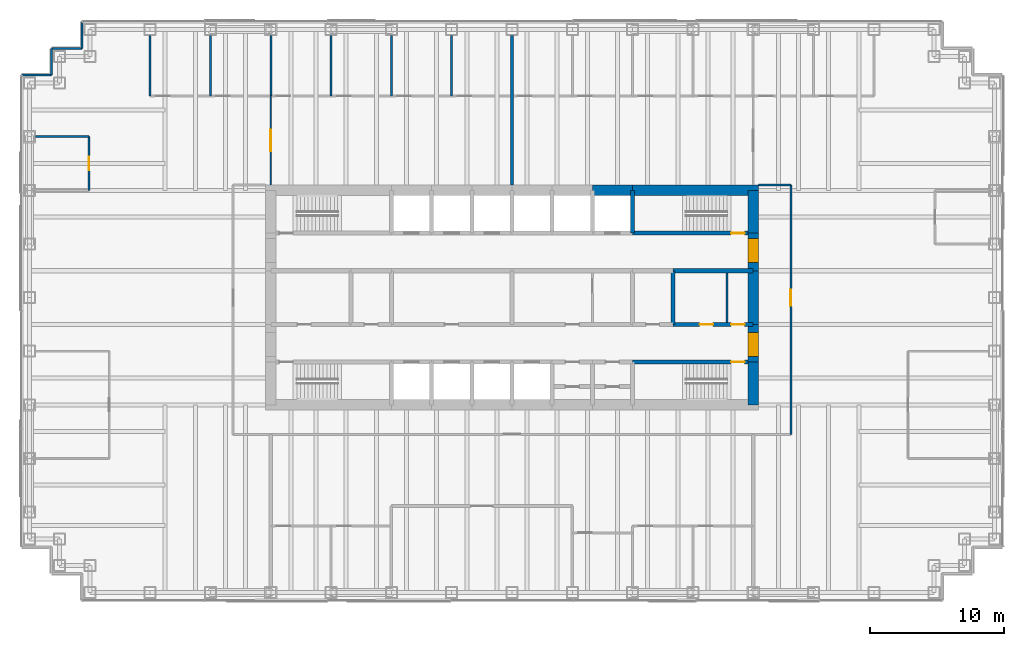
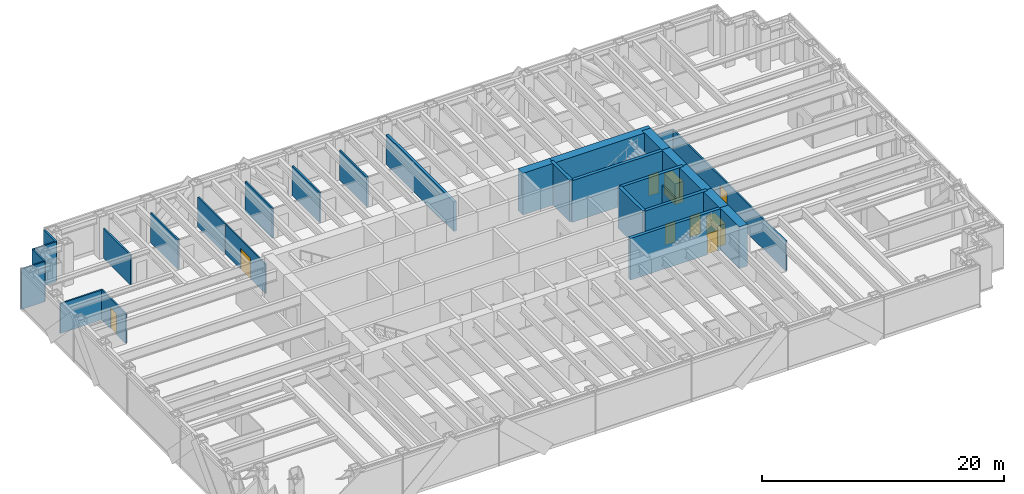
# One storey, part 14 of 17: 30 walls, 9 doors, 9 openings.
"""IFC4 building model written with IfcOpenShell, lengths in metres."""

from ifc_helpers import new_model, si_unit, direction, frame, frame_2d, origin, place, context, subcontext, project, spatial, rectangle, extrude, material, layer, layer_set, type_object, element, fill, save


model = new_model("IFC4")

# Units and contexts
model_context = context("Model", 3, precision=1e-05, world=origin(), true_north=direction((0.0, 1.0)))
body_context = subcontext(model_context, "Body", "Model", "MODEL_VIEW")
ifc_project = project(units=[si_unit("LENGTHUNIT", "METRE"), si_unit("AREAUNIT", "SQUARE_METRE"), si_unit("VOLUMEUNIT", "CUBIC_METRE"), si_unit("PLANEANGLEUNIT", "RADIAN"), si_unit("MASSUNIT", "GRAM", prefix="KILO")], contexts=[model_context])

# Site, building, storey
site_placement = place(None, origin())
site = spatial("IfcSite", under=ifc_project, at=site_placement, CompositionType="ELEMENT")
building_placement = place(site_placement, origin())
building = spatial("IfcBuilding", under=site, at=building_placement, Name="Rheinbord Bourse Tower", CompositionType="ELEMENT")
storey_placement = place(building_placement, frame((0.0, 0.0, 223.60009765625)))
storey = spatial("IfcBuildingStorey", under=building, at=storey_placement, Name="L50", CompositionType="ELEMENT", Elevation=223.60009765625)

# Wall, opening, door
ifc_material_1 = material(Name="Concrete C50/60", Category="concrete")
ifc_layer_1 = layer(ifc_material_1, 0.300048828125)
ifc_layer_set_1 = layer_set([ifc_layer_1], Name="CORE INNER WALL 300")
wall_type_1 = type_object("IfcWallType", Name="CORE INNER WALL 300", PredefinedType="SOLIDWALL", material=ifc_layer_set_1)
wall_1_placement = place(storey_placement, frame((45.0, 19.199951171875, 0.0), z_axis=(0.0, 0.0, 1.0), x_axis=(1.0, 0.0, 0.0)))
wall_1 = element("IfcWall", 1, at=wall_1_placement, inside=storey, type_object=wall_type_1, Name="Core wall A8 L50", PredefinedType="SOLIDWALL", context=body_context, shape_type="SweptSolid", body=[
    extrude(rectangle(XDim=9.0, YDim=0.300048828125, at=frame_2d((4.5, 0.0))), origin(), (0.0, 0.0, 1.0), 4.199951171875),
])
opening_1_placement = place(wall_1_placement, frame((7.35009765625, 0.0, 0.0)))
opening_1 = element("IfcOpeningElement", 2, at=opening_1_placement, cuts=wall_1, Name="Opening 5030", PredefinedType="OPENING", context=body_context, shape_type="SweptSolid", body=[
    extrude(rectangle(XDim=1.0, YDim=2.10009765625, at=frame_2d((0.5, 1.050048828125))), frame((0.0, 0.159912109375, 0.0), z_axis=(0.0, -1.0, 0.0), x_axis=(1.0, 0.0, 0.0)), (0.0, 0.0, 1.0), 0.320068359375),
])
ifc_material_2 = material(Name="Steel door", Category="steel")
door_type_1 = type_object("IfcDoorType", Name="DOOR 1000 EI30", OperationType="SINGLE_SWING_LEFT", PredefinedType="DOOR", material=ifc_material_2)
door_1_placement = place(opening_1_placement, origin())
door_1 = element("IfcDoor", 3, at=door_1_placement, inside=storey, type_object=door_type_1, Name="Stair door ST3 L50", OperationType="SINGLE_SWING_RIGHT", OverallHeight=2.10009765625, OverallWidth=1.0, PredefinedType="DOOR", context=body_context, shape_type="SweptSolid", body=[
    extrude(rectangle(XDim=1.0, YDim=2.10009765625, at=frame_2d((0.5, 1.050048828125))), frame((0.0, 0.02490234375, 0.0), z_axis=(0.0, -1.0, 0.0), x_axis=(1.0, 0.0, 0.0)), (0.0, 0.0, 1.0), 0.050048828125),
])
fill(opening_1, door_1)

wall_2_placement = place(storey_placement, frame((45.0, 28.800048828125, 0.0), z_axis=(0.0, 0.0, 1.0), x_axis=(1.0, 0.0, 0.0)))
wall_2 = element("IfcWall", 4, at=wall_2_placement, inside=storey, type_object=wall_type_1, Name="Core wall B8 L50", PredefinedType="SOLIDWALL", context=body_context, shape_type="SweptSolid", body=[
    extrude(rectangle(XDim=9.0, YDim=0.300048828125, at=frame_2d((4.5, 0.0))), origin(), (0.0, 0.0, 1.0), 4.199951171875),
])
opening_2_placement = place(wall_2_placement, frame((7.35009765625, 0.0, 0.0)))
opening_2 = element("IfcOpeningElement", 5, at=opening_2_placement, cuts=wall_2, Name="Opening 5040", PredefinedType="OPENING", context=body_context, shape_type="SweptSolid", body=[
    extrude(rectangle(XDim=1.0, YDim=2.10009765625, at=frame_2d((0.5, 1.050048828125))), frame((0.0, 0.159912109375, 0.0), z_axis=(0.0, -1.0, 0.0), x_axis=(1.0, 0.0, 0.0)), (0.0, 0.0, 1.0), 0.320068359375),
])
door_2_placement = place(opening_2_placement, origin())
door_2 = element("IfcDoor", 6, at=door_2_placement, inside=storey, type_object=door_type_1, Name="Stair door ST4 L50", OperationType="SINGLE_SWING_RIGHT", OverallHeight=2.10009765625, OverallWidth=1.0, PredefinedType="DOOR", context=body_context, shape_type="SweptSolid", body=[
    extrude(rectangle(XDim=1.0, YDim=2.10009765625, at=frame_2d((0.5, 1.050048828125))), frame((0.0, 0.02490234375, 0.0), z_axis=(0.0, -1.0, 0.0), x_axis=(1.0, 0.0, 0.0)), (0.0, 0.0, 1.0), 0.050048828125),
])
fill(opening_2, door_2)

# Wall, openings, doors
wall_3_placement = place(storey_placement, frame((48.0, 22.0, 0.0), z_axis=(0.0, 0.0, 1.0), x_axis=(1.0, 0.0, 0.0)))
wall_3 = element("IfcWall", 7, at=wall_3_placement, inside=storey, type_object=wall_type_1, Name="Core wall C6 L50", PredefinedType="SOLIDWALL", context=body_context, shape_type="SweptSolid", body=[
    extrude(rectangle(XDim=6.0, YDim=0.300048828125, at=frame_2d((3.0, 0.0))), origin(), (0.0, 0.0, 1.0), 4.199951171875),
])
opening_3_placement = place(wall_3_placement, frame((2.0, 0.0, 0.0)))
opening_3 = element("IfcOpeningElement", 8, at=opening_3_placement, cuts=wall_3, Name="Opening 50R6", PredefinedType="OPENING", context=body_context, shape_type="SweptSolid", body=[
    extrude(rectangle(XDim=1.0, YDim=2.10009765625, at=frame_2d((0.5, 1.050048828125))), frame((0.0, 0.159912109375, 0.0), z_axis=(0.0, -1.0, 0.0), x_axis=(1.0, 0.0, 0.0)), (0.0, 0.0, 1.0), 0.320068359375),
])
opening_4_placement = place(wall_3_placement, frame((4.35009765625, 0.0, 0.0)))
opening_4 = element("IfcOpeningElement", 9, at=opening_4_placement, cuts=wall_3, Name="Opening 50R10", PredefinedType="OPENING", context=body_context, shape_type="SweptSolid", body=[
    extrude(rectangle(XDim=1.0, YDim=2.10009765625, at=frame_2d((0.5, 1.050048828125))), frame((0.0, 0.159912109375, 0.0), z_axis=(0.0, -1.0, 0.0), x_axis=(1.0, 0.0, 0.0)), (0.0, 0.0, 1.0), 0.320068359375),
])
door_3_placement = place(opening_4_placement, origin())
door_3 = element("IfcDoor", 10, at=door_3_placement, inside=storey, type_object=door_type_1, Name="Cleaner's store door L50", OperationType="SINGLE_SWING_RIGHT", OverallHeight=2.10009765625, OverallWidth=1.0, PredefinedType="DOOR", context=body_context, shape_type="SweptSolid", body=[
    extrude(rectangle(XDim=1.0, YDim=2.10009765625, at=frame_2d((0.5, 1.050048828125))), frame((0.0, 0.02490234375, 0.0), z_axis=(0.0, -1.0, 0.0), x_axis=(1.0, 0.0, 0.0)), (0.0, 0.0, 1.0), 0.050048828125),
])
fill(opening_4, door_3)
ifc_material_3 = material(Name="Timber door", Category="wood")
door_type_2 = type_object("IfcDoorType", Name="DOOR 1000 WC", OperationType="SINGLE_SWING_LEFT", PredefinedType="DOOR", material=ifc_material_3)
door_4_placement = place(opening_3_placement, origin())
door_4 = element("IfcDoor", 11, at=door_4_placement, inside=storey, type_object=door_type_2, Name="WC women door L50", OperationType="SINGLE_SWING_LEFT", OverallHeight=2.10009765625, OverallWidth=1.0, PredefinedType="DOOR", context=body_context, shape_type="SweptSolid", body=[
    extrude(rectangle(XDim=1.0, YDim=2.10009765625, at=frame_2d((0.5, 1.050048828125))), frame((0.0, 0.02490234375, 0.0), z_axis=(0.0, -1.0, 0.0), x_axis=(1.0, 0.0, 0.0)), (0.0, 0.0, 1.0), 0.050048828125),
])
fill(opening_3, door_4)

# Walls
wall_4_placement = place(storey_placement, frame((48.0, 26.0, 0.0), z_axis=(0.0, 0.0, 1.0), x_axis=(1.0, 0.0, 0.0)))
element("IfcWall", 12, at=wall_4_placement, inside=storey, type_object=wall_type_1, Name="Core wall D6 L50", PredefinedType="SOLIDWALL", context=body_context, shape_type="SweptSolid", body=[
    extrude(rectangle(XDim=6.0, YDim=0.300048828125, at=frame_2d((3.0, 0.0))), origin(), (0.0, 0.0, 1.0), 4.199951171875),
])
wall_5_placement = place(storey_placement, frame((45.0, 28.800048828125, 0.0), z_axis=(0.0, 0.0, 1.0), x_axis=(0.0, 1.0, 0.0)))
element("IfcWall", 13, at=wall_5_placement, inside=storey, type_object=wall_type_1, Name="Core wall NX45 L50", PredefinedType="SOLIDWALL", context=body_context, shape_type="SweptSolid", body=[
    extrude(rectangle(XDim=3.199951171875, YDim=0.300048828125, at=frame_2d((1.60009765625, 0.0))), origin(), (0.0, 0.0, 1.0), 4.199951171875),
])
wall_6_placement = place(storey_placement, frame((48.0, 22.0, 0.0), z_axis=(0.0, 0.0, 1.0), x_axis=(0.0, 1.0, 0.0)))
element("IfcWall", 14, at=wall_6_placement, inside=storey, type_object=wall_type_1, Name="Core wall MX48 L50", PredefinedType="SOLIDWALL", context=body_context, shape_type="SweptSolid", body=[
    extrude(rectangle(XDim=4.0, YDim=0.300048828125, at=frame_2d((2.0, 0.0))), origin(), (0.0, 0.0, 1.0), 4.199951171875),
])
ifc_material_4 = material(Name="Gypsum board fire partition", Category="gypsum board")
ifc_layer_2 = layer(ifc_material_4, 0.14990234375)
ifc_layer_set_2 = layer_set([ifc_layer_2], Name="CORE PARTITION 150 EI30")
wall_type_2 = type_object("IfcWallType", Name="CORE PARTITION 150 EI30", PredefinedType="PARTITIONING", material=ifc_layer_set_2)
wall_7_placement = place(storey_placement, frame((52.02490234375, 22.14990234375, 0.0), z_axis=(0.0, 0.0, 1.0), x_axis=(0.0, 1.0, 0.0)))
element("IfcWall", 15, at=wall_7_placement, inside=storey, type_object=wall_type_2, Name="Core partition L50-3", PredefinedType="PARTITIONING", context=body_context, shape_type="SweptSolid", body=[
    extrude(rectangle(XDim=3.7001953125, YDim=0.14990234375, at=frame_2d((1.85009765625, 0.0))), origin(), (0.0, 0.0, 1.0), 3.0),
])
ifc_material_5 = material(Name="Concrete C50/60", Category="concrete")
ifc_layer_3 = layer(ifc_material_5, 0.800048828125)
ifc_layer_set_3 = layer_set([ifc_layer_3], Name="CORE WALL 800")
wall_type_3 = type_object("IfcWallType", Name="CORE WALL 800", PredefinedType="SHEAR", material=ifc_layer_set_3)
wall_8_placement = place(storey_placement, frame((54.39990234375, 32.0, 0.0), z_axis=(0.0, 0.0, 1.0), x_axis=(-1.0, 0.0, 0.0)))
element("IfcWall", 16, at=wall_8_placement, inside=storey, type_object=wall_type_3, Name="Core wall N1 L50", PredefinedType="SHEAR", context=body_context, shape_type="SweptSolid", body=[
    extrude(rectangle(XDim=9.39990234375, YDim=0.800048828125, at=frame_2d((4.699951171875, 0.0))), origin(), (0.0, 0.0, 1.0), 4.199951171875),
])
wall_9_placement = place(storey_placement, frame((45.0, 32.0, 0.0), z_axis=(0.0, 0.0, 1.0), x_axis=(-1.0, 0.0, 0.0)))
element("IfcWall", 17, at=wall_9_placement, inside=storey, type_object=wall_type_3, Name="Core wall N2 L50", PredefinedType="SHEAR", context=body_context, shape_type="SweptSolid", body=[
    extrude(rectangle(XDim=3.0, YDim=0.800048828125, at=frame_2d((1.5, 0.0))), origin(), (0.0, 0.0, 1.0), 4.199951171875),
])
wall_10_placement = place(storey_placement, frame((54.0, 16.0, 0.0), z_axis=(0.0, 0.0, 1.0), x_axis=(0.0, 1.0, 0.0)))
element("IfcWall", 18, at=wall_10_placement, inside=storey, type_object=wall_type_3, Name="Core wall E1 L50", PredefinedType="SHEAR", context=body_context, shape_type="SweptSolid", body=[
    extrude(rectangle(XDim=3.199951171875, YDim=0.800048828125, at=frame_2d((1.60009765625, 0.0))), origin(), (0.0, 0.0, 1.0), 4.199951171875),
])

# Wall, opening, door
wall_11_placement = place(storey_placement, frame((54.0, 19.199951171875, 0.0), z_axis=(0.0, 0.0, 1.0), x_axis=(0.0, 1.0, 0.0)))
wall_11 = element("IfcWall", 19, at=wall_11_placement, inside=storey, type_object=wall_type_3, Name="Core wall E2 L50", PredefinedType="SHEAR", context=body_context, shape_type="SweptSolid", body=[
    extrude(rectangle(XDim=2.800048828125, YDim=0.800048828125, at=frame_2d((1.39990234375, 0.0))), origin(), (0.0, 0.0, 1.0), 4.199951171875),
])
opening_5_placement = place(wall_11_placement, frame((0.39990234375, 0.0, 0.0)))
opening_5 = element("IfcOpeningElement", 20, at=opening_5_placement, cuts=wall_11, Name="Opening 50L3", PredefinedType="OPENING", context=body_context, shape_type="SweptSolid", body=[
    extrude(rectangle(XDim=1.800048828125, YDim=2.10009765625, at=frame_2d((0.89990234375, 1.050048828125))), frame((0.0, 0.409912109375, 0.0), z_axis=(0.0, -1.0, 0.0), x_axis=(1.0, 0.0, 0.0)), (0.0, 0.0, 1.0), 0.820068359375),
])
ifc_material_6 = material(Name="Steel door", Category="steel")
door_type_3 = type_object("IfcDoorType", Name="DOOR 1800 EI30 DOUBLE", OperationType="DOUBLE_DOOR_DOUBLE_SWING", PredefinedType="DOOR", material=ifc_material_6)
door_5_placement = place(opening_5_placement, origin())
door_5 = element("IfcDoor", 21, at=door_5_placement, inside=storey, type_object=door_type_3, Name="Lobby door 3 L50", OperationType="SINGLE_SWING_LEFT", OverallHeight=2.10009765625, OverallWidth=1.800048828125, PredefinedType="DOOR", context=body_context, shape_type="SweptSolid", body=[
    extrude(rectangle(XDim=1.800048828125, YDim=2.10009765625, at=frame_2d((0.89990234375, 1.050048828125))), frame((0.0, 0.39990234375, 0.0), z_axis=(0.0, -1.0, 0.0), x_axis=(1.0, 0.0, 0.0)), (0.0, 0.0, 1.0), 0.799560546875),
])
fill(opening_5, door_5)

# Wall
wall_12_placement = place(storey_placement, frame((54.0, 22.0, 0.0), z_axis=(0.0, 0.0, 1.0), x_axis=(0.0, 1.0, 0.0)))
element("IfcWall", 22, at=wall_12_placement, inside=storey, type_object=wall_type_3, Name="Core wall E3 L50", PredefinedType="SHEAR", context=body_context, shape_type="SweptSolid", body=[
    extrude(rectangle(XDim=4.0, YDim=0.800048828125, at=frame_2d((2.0, 0.0))), origin(), (0.0, 0.0, 1.0), 4.199951171875),
])

# Wall, opening, door
wall_13_placement = place(storey_placement, frame((54.0, 26.0, 0.0), z_axis=(0.0, 0.0, 1.0), x_axis=(0.0, 1.0, 0.0)))
wall_13 = element("IfcWall", 23, at=wall_13_placement, inside=storey, type_object=wall_type_3, Name="Core wall E4 L50", PredefinedType="SHEAR", context=body_context, shape_type="SweptSolid", body=[
    extrude(rectangle(XDim=2.800048828125, YDim=0.800048828125, at=frame_2d((1.39990234375, 0.0))), origin(), (0.0, 0.0, 1.0), 4.199951171875),
])
opening_6_placement = place(wall_13_placement, frame((0.60009765625, 0.0, 0.0)))
opening_6 = element("IfcOpeningElement", 24, at=opening_6_placement, cuts=wall_13, Name="Opening 50L4", PredefinedType="OPENING", context=body_context, shape_type="SweptSolid", body=[
    extrude(rectangle(XDim=1.800048828125, YDim=2.10009765625, at=frame_2d((0.89990234375, 1.050048828125))), frame((0.0, 0.409912109375, 0.0), z_axis=(0.0, -1.0, 0.0), x_axis=(1.0, 0.0, 0.0)), (0.0, 0.0, 1.0), 0.820068359375),
])
door_6_placement = place(opening_6_placement, origin())
door_6 = element("IfcDoor", 25, at=door_6_placement, inside=storey, type_object=door_type_3, Name="Lobby door 4 L50", OperationType="SINGLE_SWING_LEFT", OverallHeight=2.10009765625, OverallWidth=1.800048828125, PredefinedType="DOOR", context=body_context, shape_type="SweptSolid", body=[
    extrude(rectangle(XDim=1.800048828125, YDim=2.10009765625, at=frame_2d((0.89990234375, 1.050048828125))), frame((0.0, 0.39990234375, 0.0), z_axis=(0.0, -1.0, 0.0), x_axis=(1.0, 0.0, 0.0)), (0.0, 0.0, 1.0), 0.799560546875),
])
fill(opening_6, door_6)

# Walls
wall_14_placement = place(storey_placement, frame((54.0, 28.800048828125, 0.0), z_axis=(0.0, 0.0, 1.0), x_axis=(0.0, 1.0, 0.0)))
element("IfcWall", 26, at=wall_14_placement, inside=storey, type_object=wall_type_3, Name="Core wall E5 L50", PredefinedType="SHEAR", context=body_context, shape_type="SweptSolid", body=[
    extrude(rectangle(XDim=3.199951171875, YDim=0.800048828125, at=frame_2d((1.60009765625, 0.0))), origin(), (0.0, 0.0, 1.0), 4.199951171875),
])
ifc_material_7 = material(Name="Black metal rainscreen panel", Category="aluminium")
ifc_layer_4 = layer(ifc_material_7, 0.14990234375)
ifc_layer_set_4 = layer_set([ifc_layer_4], Name="CORNER PIER CLADDING 150")
wall_type_4 = type_object("IfcWallType", Name="CORNER PIER CLADDING 150", PredefinedType="ELEMENTEDWALL", material=ifc_layer_set_4)
wall_15_placement = place(storey_placement, frame((3.89990234375, 44.60009765625, 0.0), z_axis=(0.0, 0.0, 1.0), x_axis=(0.0, -1.0, 0.0)))
element("IfcWall", 27, at=wall_15_placement, inside=storey, type_object=wall_type_4, Name="Corner pier cladding L50 12", PredefinedType="ELEMENTEDWALL", context=body_context, shape_type="SweptSolid", body=[
    extrude(rectangle(XDim=2.0, YDim=0.14990234375, at=frame_2d((1.0, 0.0))), origin(), (0.0, 0.0, 1.0), 4.039794921875),
])
wall_16_placement = place(storey_placement, frame((3.89990234375, 42.60009765625, 0.0), z_axis=(0.0, 0.0, 1.0), x_axis=(-1.0, 0.0, 0.0)))
element("IfcWall", 28, at=wall_16_placement, inside=storey, type_object=wall_type_4, Name="Corner pier cladding L50 13", PredefinedType="ELEMENTEDWALL", context=body_context, shape_type="SweptSolid", body=[
    extrude(rectangle(XDim=2.25, YDim=0.14990234375, at=frame_2d((1.125, 0.0))), origin(), (0.0, 0.0, 1.0), 4.039794921875),
])
wall_17_placement = place(storey_placement, frame((1.64990234375, 42.60009765625, 0.0), z_axis=(0.0, 0.0, 1.0), x_axis=(0.0, -1.0, 0.0)))
element("IfcWall", 29, at=wall_17_placement, inside=storey, type_object=wall_type_4, Name="Corner pier cladding L50 14", PredefinedType="ELEMENTEDWALL", context=body_context, shape_type="SweptSolid", body=[
    extrude(rectangle(XDim=2.0, YDim=0.14990234375, at=frame_2d((1.0, 0.0))), origin(), (0.0, 0.0, 1.0), 4.039794921875),
])
wall_18_placement = place(storey_placement, frame((1.64990234375, 40.60009765625, 0.0), z_axis=(0.0, 0.0, 1.0), x_axis=(-1.0, 0.0, 0.0)))
element("IfcWall", 30, at=wall_18_placement, inside=storey, type_object=wall_type_4, Name="Corner pier cladding L50 15", PredefinedType="ELEMENTEDWALL", context=body_context, shape_type="SweptSolid", body=[
    extrude(rectangle(XDim=2.25, YDim=0.14990234375, at=frame_2d((1.125, 0.0))), origin(), (0.0, 0.0, 1.0), 4.039794921875),
])
ifc_material_8 = material(Name="Gypsum board corridor partition", Category="gypsum board")
ifc_layer_5 = layer(ifc_material_8, 0.14990234375)
ifc_layer_set_5 = layer_set([ifc_layer_5], Name="CORRIDOR PARTITION 150 EI30")
wall_type_5 = type_object("IfcWallType", Name="CORRIDOR PARTITION 150 EI30", PredefinedType="PARTITIONING", material=ifc_layer_set_5)
wall_19_placement = place(storey_placement, frame((54.39990234375, 32.39990234375, 0.0), z_axis=(0.0, 0.0, 1.0), x_axis=(1.0, 0.0, 0.0)))
element("IfcWall", 31, at=wall_19_placement, inside=storey, type_object=wall_type_5, Name="Partition L50-14", PredefinedType="PARTITIONING", context=body_context, shape_type="SweptSolid", body=[
    extrude(rectangle(XDim=2.400146484375, YDim=0.14990234375, at=frame_2d((1.2001953125, 0.0))), origin(), (0.0, 0.0, 1.0), 3.0),
])

# Wall, opening, door
wall_20_placement = place(storey_placement, frame((56.800048828125, 13.800048828125, 0.0), z_axis=(0.0, 0.0, 1.0), x_axis=(0.0, 1.0, 0.0)))
wall_20 = element("IfcWall", 32, at=wall_20_placement, inside=storey, type_object=wall_type_5, Name="Partition L50-40", PredefinedType="PARTITIONING", context=body_context, shape_type="SweptSolid", body=[
    extrude(rectangle(XDim=18.599853515625, YDim=0.14990234375, at=frame_2d((9.2998046875, 0.0))), origin(), (0.0, 0.0, 1.0), 3.0),
])
opening_7_placement = place(wall_20_placement, frame((9.60009765625, 0.0, 0.0)))
opening_7 = element("IfcOpeningElement", 33, at=opening_7_placement, cuts=wall_20, Name="Opening 50D27", PredefinedType="OPENING", context=body_context, shape_type="SweptSolid", body=[
    extrude(rectangle(XDim=1.199951171875, YDim=2.10009765625, at=frame_2d((0.60009765625, 1.050048828125))), frame((0.0, 0.0849609375, 0.0), z_axis=(0.0, -1.0, 0.0), x_axis=(1.0, 0.0, 0.0)), (0.0, 0.0, 1.0), 0.169921875),
])
ifc_material_9 = material(Name="Timber fire door", Category="wood")
door_type_4 = type_object("IfcDoorType", Name="SUITE ENTRANCE DOOR 1200 EI30", OperationType="SINGLE_SWING_LEFT", PredefinedType="DOOR", material=ifc_material_9)
door_7_placement = place(opening_7_placement, origin())
door_7 = element("IfcDoor", 34, at=door_7_placement, inside=storey, type_object=door_type_4, Name="Suite entrance 3 door L50", OperationType="SINGLE_SWING_RIGHT", OverallHeight=2.10009765625, OverallWidth=1.199951171875, PredefinedType="DOOR", context=body_context, shape_type="SweptSolid", body=[
    extrude(rectangle(XDim=1.199951171875, YDim=2.10009765625, at=frame_2d((0.60009765625, 1.050048828125))), frame((0.0, 0.02490234375, 0.0), z_axis=(0.0, -1.0, 0.0), x_axis=(1.0, 0.0, 0.0)), (0.0, 0.0, 1.0), 0.050048828125),
])
fill(opening_7, door_7)

# Wall
ifc_material_10 = material(Name="Gypsum board tenancy wall", Category="gypsum board")
ifc_layer_6 = layer(ifc_material_10, 0.25)
ifc_layer_set_6 = layer_set([ifc_layer_6], Name="DEMISING PARTITION 250 EI60")
wall_type_6 = type_object("IfcWallType", Name="DEMISING PARTITION 250 EI60", PredefinedType="PARTITIONING", material=ifc_layer_set_6)
wall_21_placement = place(storey_placement, frame((36.0, 32.39990234375, 0.0), z_axis=(0.0, 0.0, 1.0), x_axis=(0.0, 1.0, 0.0)))
element("IfcWall", 35, at=wall_21_placement, inside=storey, type_object=wall_type_6, Name="Partition L50-30", PredefinedType="PARTITIONING", context=body_context, shape_type="SweptSolid", body=[
    extrude(rectangle(XDim=11.150146484375, YDim=0.25, at=frame_2d((5.5751953125, 0.0))), origin(), (0.0, 0.0, 1.0), 3.0),
])

# Wall, opening, door
ifc_material_11 = material(Name="Toughened laminated glass partition", Category="glass")
ifc_layer_7 = layer(ifc_material_11, 0.10009765625)
ifc_layer_set_7 = layer_set([ifc_layer_7], Name="GLAZED PARTITION 100")
wall_type_7 = type_object("IfcWallType", Name="GLAZED PARTITION 100", PredefinedType="PARTITIONING", material=ifc_layer_set_7)
wall_22_placement = place(storey_placement, frame((18.0, 32.39990234375, 0.0), z_axis=(0.0, 0.0, 1.0), x_axis=(0.0, 1.0, 0.0)))
wall_22 = element("IfcWall", 36, at=wall_22_placement, inside=storey, type_object=wall_type_7, Name="Partition L50-23", PredefinedType="PARTITIONING", context=body_context, shape_type="SweptSolid", body=[
    extrude(rectangle(XDim=6.650146484375, YDim=0.10009765625, at=frame_2d((3.3251953125, 0.0))), origin(), (0.0, 0.0, 1.0), 3.0),
])
opening_8_placement = place(wall_22_placement, frame((2.52490234375, 0.0, 0.0)))
opening_8 = element("IfcOpeningElement", 37, at=opening_8_placement, cuts=wall_22, Name="Opening 50D23", PredefinedType="OPENING", context=body_context, shape_type="SweptSolid", body=[
    extrude(rectangle(XDim=1.60009765625, YDim=2.10009765625, at=frame_2d((0.800048828125, 1.050048828125))), frame((0.0, 0.06005859375, 0.0), z_axis=(0.0, -1.0, 0.0), x_axis=(1.0, 0.0, 0.0)), (0.0, 0.0, 1.0), 0.1201171875),
])
ifc_material_12 = material(Name="Timber door", Category="wood")
door_type_5 = type_object("IfcDoorType", Name="DOUBLE ROOM DOOR 1600", OperationType="DOUBLE_DOOR_DOUBLE_SWING", PredefinedType="DOOR", material=ifc_material_12)
door_8_placement = place(opening_8_placement, origin())
door_8 = element("IfcDoor", 38, at=door_8_placement, inside=storey, type_object=door_type_5, Name="Open area door L50", OperationType="SINGLE_SWING_LEFT", OverallHeight=2.10009765625, OverallWidth=1.60009765625, PredefinedType="DOOR", context=body_context, shape_type="SweptSolid", body=[
    extrude(rectangle(XDim=1.60009765625, YDim=2.10009765625, at=frame_2d((0.800048828125, 1.050048828125))), frame((0.0, 0.02490234375, 0.0), z_axis=(0.0, -1.0, 0.0), x_axis=(1.0, 0.0, 0.0)), (0.0, 0.0, 1.0), 0.050048828125),
])
fill(opening_8, door_8)

# Wall
ifc_material_13 = material(Name="Gypsum board partition", Category="gypsum board")
ifc_layer_8 = layer(ifc_material_13, 0.14990234375)
ifc_layer_set_8 = layer_set([ifc_layer_8], Name="PARTITION 150")
wall_type_8 = type_object("IfcWallType", Name="PARTITION 150", PredefinedType="PARTITIONING", material=ifc_layer_set_8)
wall_23_placement = place(storey_placement, frame((0.449951171875, 36.0, 0.0), z_axis=(0.0, 0.0, 1.0), x_axis=(1.0, 0.0, 0.0)))
element("IfcWall", 39, at=wall_23_placement, inside=storey, type_object=wall_type_8, Name="Partition L50-15", PredefinedType="PARTITIONING", context=body_context, shape_type="SweptSolid", body=[
    extrude(rectangle(XDim=4.0, YDim=0.14990234375, at=frame_2d((2.0, 0.0))), origin(), (0.0, 0.0, 1.0), 3.0),
])

# Wall, opening, door
wall_24_placement = place(storey_placement, frame((4.449951171875, 32.0, 0.0), z_axis=(0.0, 0.0, 1.0), x_axis=(0.0, 1.0, 0.0)))
wall_24 = element("IfcWall", 40, at=wall_24_placement, inside=storey, type_object=wall_type_8, Name="Partition L50-17", PredefinedType="PARTITIONING", context=body_context, shape_type="SweptSolid", body=[
    extrude(rectangle(XDim=4.0, YDim=0.14990234375, at=frame_2d((2.0, 0.0))), origin(), (0.0, 0.0, 1.0), 3.0),
])
opening_9_placement = place(wall_24_placement, frame((1.5, 0.0, 0.0)))
opening_9 = element("IfcOpeningElement", 41, at=opening_9_placement, cuts=wall_24, Name="Opening 50D10", PredefinedType="OPENING", context=body_context, shape_type="SweptSolid", body=[
    extrude(rectangle(XDim=1.0, YDim=2.10009765625, at=frame_2d((0.5, 1.050048828125))), frame((0.0, 0.0849609375, 0.0), z_axis=(0.0, -1.0, 0.0), x_axis=(1.0, 0.0, 0.0)), (0.0, 0.0, 1.0), 0.169921875),
])
ifc_material_14 = material(Name="Timber door", Category="wood")
door_type_6 = type_object("IfcDoorType", Name="ROOM DOOR 1000", OperationType="SINGLE_SWING_LEFT", PredefinedType="DOOR", material=ifc_material_14)
door_9_placement = place(opening_9_placement, origin())
door_9 = element("IfcDoor", 42, at=door_9_placement, inside=storey, type_object=door_type_6, Name="Kitchenette door L50", OperationType="SINGLE_SWING_LEFT", OverallHeight=2.10009765625, OverallWidth=1.0, PredefinedType="DOOR", context=body_context, shape_type="SweptSolid", body=[
    extrude(rectangle(XDim=1.0, YDim=2.10009765625, at=frame_2d((0.5, 1.050048828125))), frame((0.0, 0.02490234375, 0.0), z_axis=(0.0, -1.0, 0.0), x_axis=(1.0, 0.0, 0.0)), (0.0, 0.0, 1.0), 0.050048828125),
])
fill(opening_9, door_9)

# Walls
for number, where, z_axis, x_axis, name in (
    (43, (9.0, 39.050048828125, 0.0), (0.0, 0.0, 1.0), (0.0, 1.0, 0.0), "Partition L50-19"),
    (44, (13.5, 39.050048828125, 0.0), (0.0, 0.0, 1.0), (0.0, 1.0, 0.0), "Partition L50-20"),
    (45, (18.0, 39.050048828125, 0.0), (0.0, 0.0, 1.0), (0.0, 1.0, 0.0), "Partition L50-24"),
    (46, (22.5, 39.050048828125, 0.0), (0.0, 0.0, 1.0), (0.0, 1.0, 0.0), "Partition L50-26"),
    (47, (27.0, 39.050048828125, 0.0), (0.0, 0.0, 1.0), (0.0, 1.0, 0.0), "Partition L50-28"),
    (48, (31.5, 39.050048828125, 0.0), (0.0, 0.0, 1.0), (0.0, 1.0, 0.0), "Partition L50-29"),
):
    element("IfcWall", number, at=place(storey_placement, frame(where, z_axis=z_axis, x_axis=x_axis)), inside=storey, type_object=wall_type_8, Name=name, PredefinedType="PARTITIONING", context=body_context, shape_type="SweptSolid", body=[
        extrude(rectangle(XDim=4.5, YDim=0.14990234375, at=frame_2d((2.25, 0.0))), origin(), (0.0, 0.0, 1.0), 3.0),
    ])

save(model, "model.ifc")
